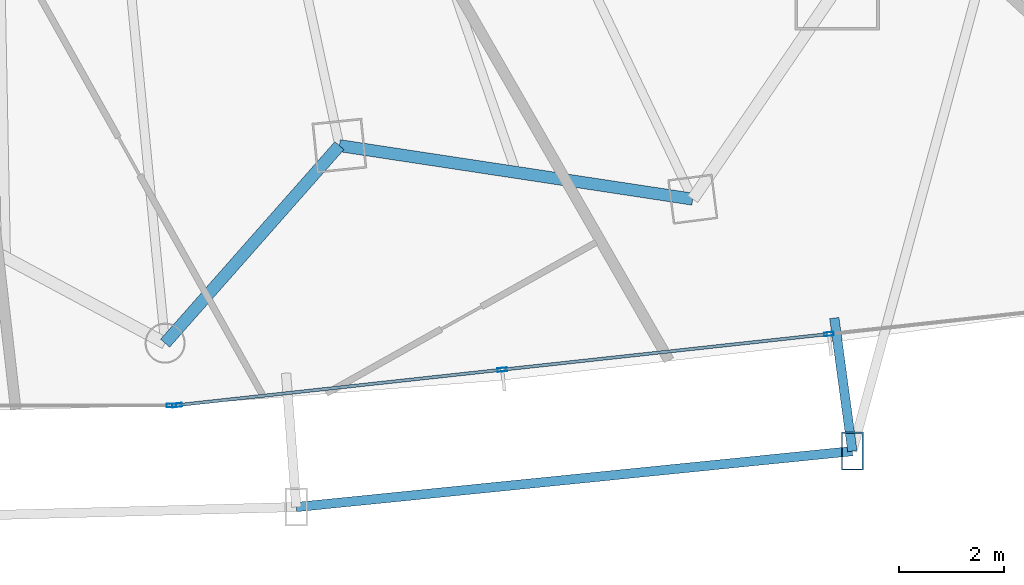
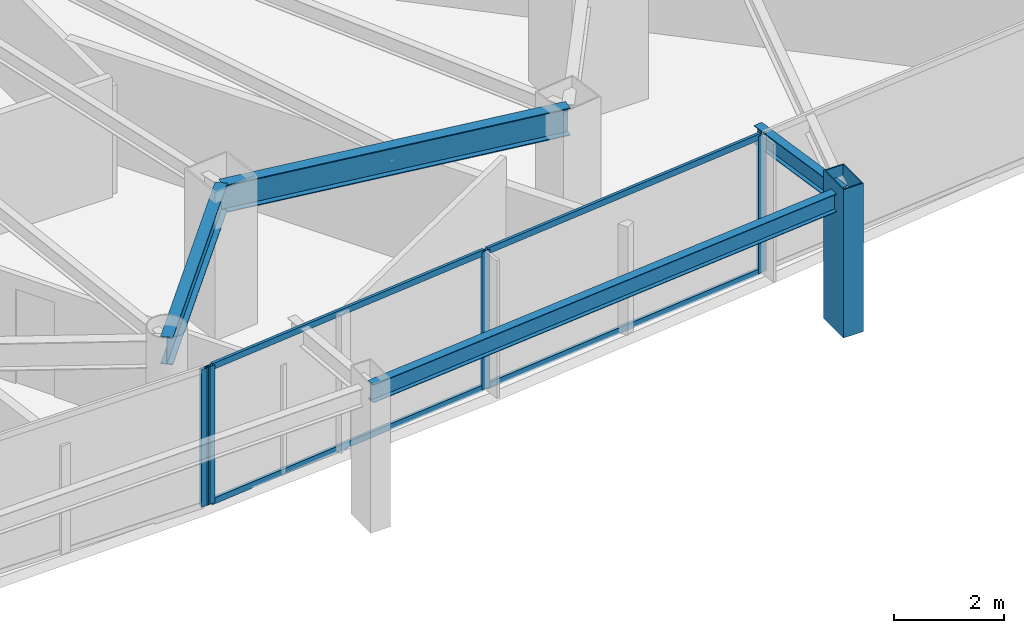
# One storey, part 12 of 33: 9 members, 4 beams, 2 elements without a shape of their own.
"""IFC4 building model written with IfcOpenShell, lengths in metres."""

from ifc_helpers import new_model, si_unit, direction, frame, origin, origin_2d, place, context, subcontext, project, spatial, hollow_rectangle, i_section, extrude, material, layer, layer_set, material_profile, profile_set, type_object, element, aggregate, save


model = new_model("IFC4")

# Units and contexts
model_context = context("Model", 3, precision=1e-05, world=origin(), true_north=direction((0.0, 1.0)))
body_context = subcontext(model_context, "Body", "Model", "MODEL_VIEW")
ifc_project = project(units=[si_unit("LENGTHUNIT", "METRE"), si_unit("AREAUNIT", "SQUARE_METRE"), si_unit("VOLUMEUNIT", "CUBIC_METRE"), si_unit("PLANEANGLEUNIT", "RADIAN"), si_unit("MASSUNIT", "GRAM", prefix="KILO")], contexts=[model_context])

# Site, building, storey
site_placement = place(None, origin())
site = spatial("IfcSite", under=ifc_project, at=site_placement, CompositionType="ELEMENT")
building_placement = place(site_placement, origin())
building = spatial("IfcBuilding", under=site, at=building_placement, Name="Orvanel Arch Residences", CompositionType="ELEMENT")
storey_placement = place(building_placement, frame((0.0, 0.0, 90.64990234375)))
storey = spatial("IfcBuildingStorey", under=building, at=storey_placement, Name="L25", CompositionType="ELEMENT", Elevation=90.64990234375)

# Member
ifc_material_1 = material(Name="Structural steel AS/NZS 3678 Grade 350", Category="steel")
ifc_material_profile_1 = material_profile(ifc_material_1, hollow_rectangle(XDim=0.419921875, YDim=0.719970703125, WallThickness=0.02490234375, at=origin_2d()), Name="RHS720x420x25")
ifc_profile_set_1 = profile_set([ifc_material_profile_1], Name="Structural steel AS/NZS 3678 Grade 350")
member_type_1 = type_object("IfcMemberType", Name="CH-720RHS-EXT", PredefinedType="CHORD", material=ifc_profile_set_1)
member_1_placement = place(storey_placement, frame((52.089111328125, 1.554931640625, 0.0), z_axis=(0.0, 0.0, 1.0), x_axis=(1.0, 0.0, 0.0)))
element("IfcMember", 1, at=member_1_placement, inside=storey, type_object=member_type_1, Name="L25 Outer Perimeter Frame Post 08", PredefinedType="CHORD", context=body_context, shape_type="SweptSolid", body=[
    extrude(hollow_rectangle(XDim=0.419921875, YDim=0.719970703125, WallThickness=0.02490234375, at=origin_2d()), origin(), (0.0, 0.0, 1.0), 3.300048828125),
])

# Curtain wall, member
ifc_material_2 = material(Name="Bronze-anodised aluminium AA6063-T6", Category="aluminium")
ifc_layer = layer(ifc_material_2, 0.179931640625)
ifc_layer_set = layer_set([ifc_layer], Name="Bronze-anodised aluminium AA6063-T6")
curtain_wall_type = type_object("IfcCurtainWallType", Name="CW2-LOW-SYS", PredefinedType="NOTDEFINED", material=ifc_layer_set)
curtain_wall_1_placement = place(storey_placement, origin())
curtain_wall_1 = element("IfcCurtainWall", 2, at=curtain_wall_1_placement, inside=storey, type_object=curtain_wall_type, Name="L25 CW2-LOW-SYS Unitised Curtain Wall", PredefinedType="NOTDEFINED")
ifc_material_profile_2 = material_profile(ifc_material_2, hollow_rectangle(XDim=0.070068359375, YDim=0.179931640625, WallThickness=0.00439453125, at=origin_2d()), Name="ALU180x70x4.5")
ifc_profile_set_2 = profile_set([ifc_material_profile_2], Name="Bronze-anodised aluminium AA6063-T6")
member_type_2 = type_object("IfcMemberType", Name="MUL-180x70", PredefinedType="MULLION", material=ifc_profile_set_2)
member_2_placement = place(storey_placement, frame((39.162109375, 2.422119140625, 0.0), z_axis=(0.0, 0.0, 1.0), x_axis=(0.0, 1.0, 0.0)))
member_2 = element("IfcMember", 3, at=member_2_placement, type_object=member_type_2, Name="CW-S2 mullion 3", PredefinedType="MULLION", context=body_context, shape_type="SweptSolid", body=[
    extrude(hollow_rectangle(XDim=0.070068359375, YDim=0.179931640625, WallThickness=0.00439453125, at=origin_2d()), origin(), (0.0, 0.0, 1.0), 3.06005859375),
])
aggregate(curtain_wall_1, [member_2])

# Curtain wall, members
curtain_wall_2_placement = place(storey_placement, origin())
curtain_wall_2 = element("IfcCurtainWall", 4, at=curtain_wall_2_placement, inside=storey, type_object=curtain_wall_type, Name="L25 CW2-LOW-SYS Unitised Curtain Wall", PredefinedType="NOTDEFINED")
member_3_placement = place(storey_placement, frame((39.271728515625, 2.427734375, 0.0), z_axis=(0.0, 0.0, 1.0), x_axis=(-0.108531962964, 0.994092959946, 0.0)))
member_3 = element("IfcMember", 5, at=member_3_placement, type_object=member_type_2, Name="CW-S2 mullion 1", PredefinedType="MULLION", context=body_context, shape_type="SweptSolid", body=[
    extrude(hollow_rectangle(XDim=0.070068359375, YDim=0.179931640625, WallThickness=0.00439453125, at=origin_2d()), origin(), (0.0, 0.0, 1.0), 3.06005859375),
])
member_4_placement = place(storey_placement, frame((45.44091796875, 3.101318359375, 0.0), z_axis=(0.0, 0.0, 1.0), x_axis=(-0.108531962964, 0.994092959946, 0.0)))
member_4 = element("IfcMember", 6, at=member_4_placement, type_object=member_type_2, Name="CW-S2 mullion 2", PredefinedType="MULLION", context=body_context, shape_type="SweptSolid", body=[
    extrude(hollow_rectangle(XDim=0.070068359375, YDim=0.179931640625, WallThickness=0.00439453125, at=origin_2d()), origin(), (0.0, 0.0, 1.0), 3.06005859375),
])
member_5_placement = place(storey_placement, frame((51.64501953125, 3.778564453125, 0.0), z_axis=(0.0, 0.0, 1.0), x_axis=(-0.108531962964, 0.994092959946, 0.0)))
member_5 = element("IfcMember", 7, at=member_5_placement, type_object=member_type_2, Name="CW-S2 mullion 3", PredefinedType="MULLION", context=body_context, shape_type="SweptSolid", body=[
    extrude(hollow_rectangle(XDim=0.070068359375, YDim=0.179931640625, WallThickness=0.00439453125, at=origin_2d()), origin(), (0.0, 0.0, 1.0), 3.06005859375),
])

# Beams
ifc_material_3 = material(Name="Structural steel AS/NZS 3679.1 Grade 300 (300 MPa)", Category="steel")
ifc_material_profile_3 = material_profile(ifc_material_3, i_section(OverallWidth=0.177978515625, OverallDepth=0.406005859375, WebThickness=0.0078125, FlangeThickness=0.0126953125, at=origin_2d()), Name="410UB59.7")
ifc_profile_set_3 = profile_set([ifc_material_profile_3], Name="Structural steel AS/NZS 3679.1 Grade 300 (300 MPa)")
beam_type_1 = type_object("IfcBeamType", Name="OB-410UB-EXT", PredefinedType="SPANDREL", material=ifc_profile_set_3)
beam_1_placement = place(storey_placement, frame((41.532958984375, 0.493896484375, 2.857177734375), z_axis=(0.994986481145, 0.100009511241, 0.0), x_axis=(-0.100009511241, 0.994986481145, 0.0)))
element("IfcBeam", 8, at=beam_1_placement, inside=storey, type_object=beam_type_1, Name="L25 Outer Perimeter Floor Ring Beam 07", PredefinedType="SPANDREL", context=body_context, shape_type="SweptSolid", body=[
    extrude(i_section(OverallWidth=0.177978515625, OverallDepth=0.406005859375, WebThickness=0.0078125, FlangeThickness=0.0126953125, at=origin_2d()), origin(), (0.0, 0.0, 1.0), 10.609375),
])
beam_2_placement = place(storey_placement, frame((51.74609375, 4.08203125, 2.857177734375), z_axis=(0.134502286064, -0.990913283312, 0.0), x_axis=(0.990913283312, 0.134502286064, 0.0)))
element("IfcBeam", 9, at=beam_2_placement, inside=storey, type_object=beam_type_1, Name="L25 Outer Frame Radial Tie Beam 08", PredefinedType="SPANDREL", context=body_context, shape_type="SweptSolid", body=[
    extrude(i_section(OverallWidth=0.177978515625, OverallDepth=0.406005859375, WebThickness=0.0078125, FlangeThickness=0.0126953125, at=origin_2d()), origin(), (0.0, 0.0, 1.0), 2.55029296875),
])
ifc_material_profile_4 = material_profile(ifc_material_3, i_section(OverallWidth=0.22900390625, OverallDepth=0.612060546875, WebThickness=0.011962890625, FlangeThickness=0.01953125, at=origin_2d()), Name="610UB125")
ifc_profile_set_4 = profile_set([ifc_material_profile_4], Name="Structural steel AS/NZS 3679.1 Grade 300 (300 MPa)")
beam_type_2 = type_object("IfcBeamType", Name="SP-610UB", PredefinedType="SPANDREL", material=ifc_profile_set_4)
beam_3_placement = place(storey_placement, frame((39.0419921875, 3.60498046875, 2.754150390625), z_axis=(0.661650698195, 0.749812212209, 0.0), x_axis=(-0.749812212209, 0.661650698195, 0.0)))
element("IfcBeam", 10, at=beam_3_placement, inside=storey, type_object=beam_type_2, Name="L25 Perimeter Spandrel Beam 08", PredefinedType="SPANDREL", context=body_context, shape_type="SweptSolid", body=[
    extrude(i_section(OverallWidth=0.22900390625, OverallDepth=0.612060546875, WebThickness=0.011962890625, FlangeThickness=0.01953125, at=origin_2d()), origin(), (0.0, 0.0, 1.0), 5.001220703125),
])
beam_4_placement = place(storey_placement, frame((42.35107421875, 7.35498046875, 2.754150390625), z_axis=(0.988726323014, -0.149733958002, 0.0), x_axis=(0.149733958002, 0.988726323014, 0.0)))
element("IfcBeam", 11, at=beam_4_placement, inside=storey, type_object=beam_type_2, Name="L25 Perimeter Spandrel Beam 09", PredefinedType="SPANDREL", context=body_context, shape_type="SweptSolid", body=[
    extrude(i_section(OverallWidth=0.22900390625, OverallDepth=0.612060546875, WebThickness=0.011962890625, FlangeThickness=0.01953125, at=origin_2d()), origin(), (0.0, 0.0, 1.0), 6.784423828125),
])

# Member
ifc_material_profile_5 = material_profile(ifc_material_2, hollow_rectangle(XDim=0.06005859375, YDim=0.135009765625, WallThickness=0.00390625, at=origin_2d()), Name="ALU135x60x4")
ifc_profile_set_5 = profile_set([ifc_material_profile_5], Name="Bronze-anodised aluminium AA6063-T6")
member_type_3 = type_object("IfcMemberType", Name="TRN-135x60", PredefinedType="USERDEFINED", material=ifc_profile_set_5)
member_6_placement = place(storey_placement, frame((39.306640625, 2.431640625, 0.030029296875), z_axis=(0.994091564885, 0.108544740194, 0.0), x_axis=(-0.108544740194, 0.994091564885, 0.0)))
member_6 = element("IfcMember", 12, at=member_6_placement, type_object=member_type_3, Name="CW-S2 transom 1.1", ObjectType="TRANSOM", PredefinedType="USERDEFINED", context=body_context, shape_type="SweptSolid", body=[
    extrude(hollow_rectangle(XDim=0.06005859375, YDim=0.135009765625, WallThickness=0.00390625, at=origin_2d()), origin(), (0.0, 0.0, 1.0), 6.1357421875),
])

member_7_placement = place(storey_placement, frame((39.306640625, 2.431640625, 3.030029296875), z_axis=(0.994091564885, 0.108544740194, 0.0), x_axis=(-0.108544740194, 0.994091564885, 0.0)))
member_7 = element("IfcMember", 13, at=member_7_placement, type_object=member_type_3, Name="CW-S2 transom 1.2", ObjectType="TRANSOM", PredefinedType="USERDEFINED", context=body_context, shape_type="SweptSolid", body=[
    extrude(hollow_rectangle(XDim=0.06005859375, YDim=0.135009765625, WallThickness=0.00390625, at=origin_2d()), origin(), (0.0, 0.0, 1.0), 6.1357421875),
])

member_8_placement = place(storey_placement, frame((45.475830078125, 3.105224609375, 0.030029296875), z_axis=(0.994093720442, 0.108524997022, 0.0), x_axis=(-0.108524997022, 0.994093720442, 0.0)))
member_8 = element("IfcMember", 14, at=member_8_placement, type_object=member_type_3, Name="CW-S2 transom 2.1", ObjectType="TRANSOM", PredefinedType="USERDEFINED", context=body_context, shape_type="SweptSolid", body=[
    extrude(hollow_rectangle(XDim=0.06005859375, YDim=0.135009765625, WallThickness=0.00390625, at=origin_2d()), origin(), (0.0, 0.0, 1.0), 6.170654296875),
])

member_9_placement = place(storey_placement, frame((45.475830078125, 3.105224609375, 3.030029296875), z_axis=(0.994093720442, 0.108524997022, 0.0), x_axis=(-0.108524997022, 0.994093720442, 0.0)))
member_9 = element("IfcMember", 15, at=member_9_placement, type_object=member_type_3, Name="CW-S2 transom 2.2", ObjectType="TRANSOM", PredefinedType="USERDEFINED", context=body_context, shape_type="SweptSolid", body=[
    extrude(hollow_rectangle(XDim=0.06005859375, YDim=0.135009765625, WallThickness=0.00390625, at=origin_2d()), origin(), (0.0, 0.0, 1.0), 6.170654296875),
])

aggregate(curtain_wall_2, [member_3, member_4, member_5, member_6, member_7, member_8, member_9])

save(model, "model.ifc")
